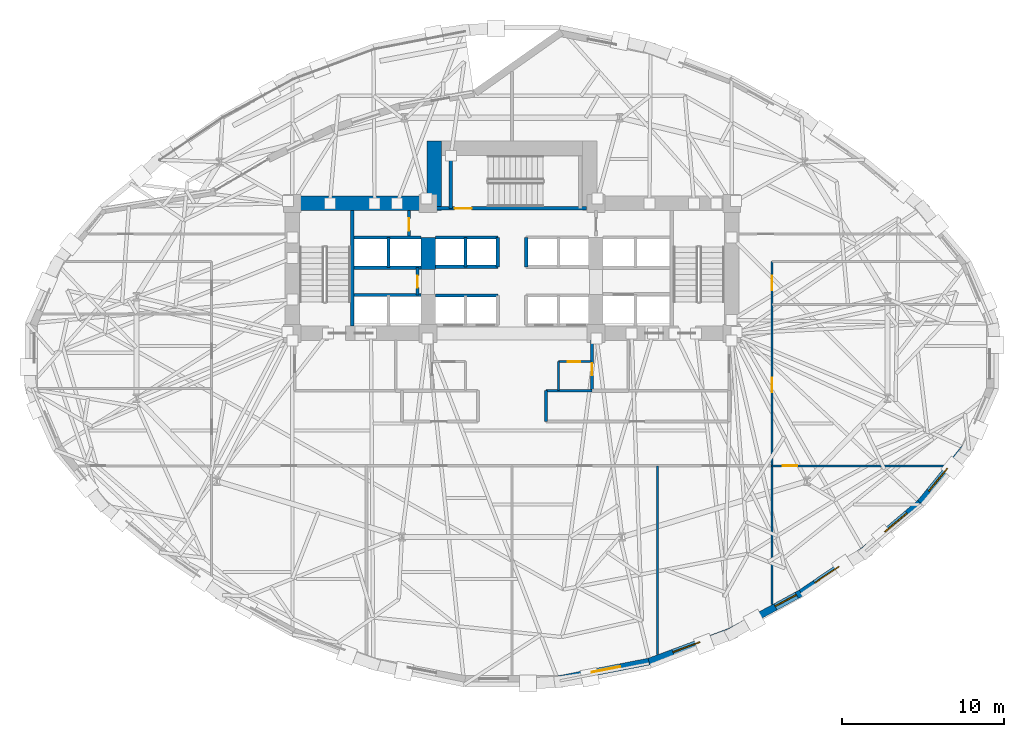
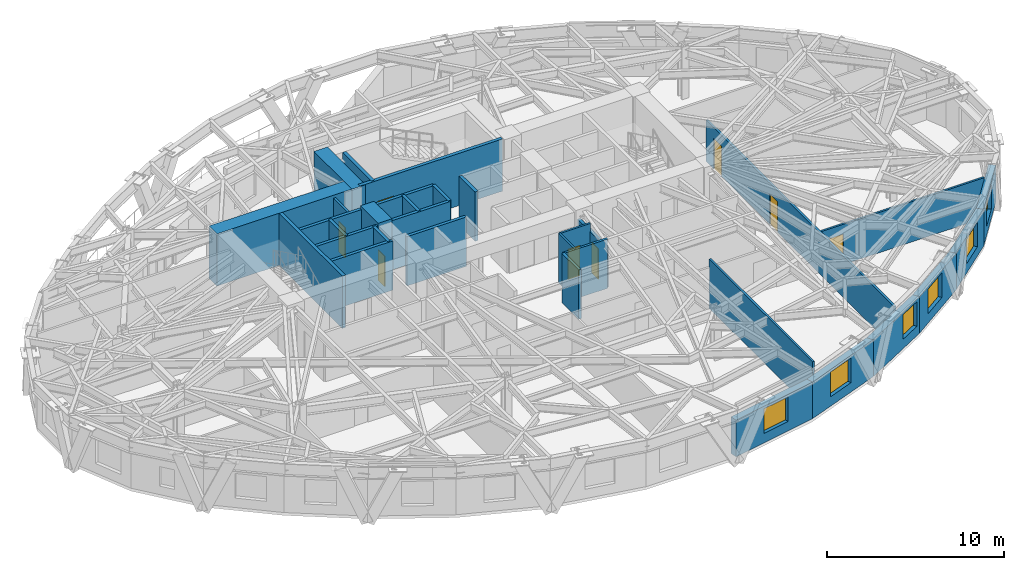
# One storey, part 11 of 17: 32 walls, 8 doors, 6 windows, 14 openings.
"""IFC4 building model written with IfcOpenShell, lengths in metres."""

from ifc_helpers import new_model, si_unit, direction, frame, frame_2d, origin, place, context, subcontext, project, spatial, rectangle, extrude, material, layer, layer_set, type_object, element, fill, save


model = new_model("IFC4")

# Units and contexts
model_context = context("Model", 3, precision=1e-05, world=origin(), true_north=direction((0.0, 1.0)))
body_context = subcontext(model_context, "Body", "Model", "MODEL_VIEW")
ifc_project = project(units=[si_unit("LENGTHUNIT", "METRE"), si_unit("AREAUNIT", "SQUARE_METRE"), si_unit("VOLUMEUNIT", "CUBIC_METRE"), si_unit("PLANEANGLEUNIT", "RADIAN"), si_unit("MASSUNIT", "GRAM", prefix="KILO")], contexts=[model_context])

# Site, building, storey
site_placement = place(None, origin())
site = spatial("IfcSite", under=ifc_project, at=site_placement, CompositionType="ELEMENT")
building_placement = place(site_placement, origin())
building = spatial("IfcBuilding", under=site, at=building_placement, Name="Keldmark Tower", CompositionType="ELEMENT")
storey_placement = place(building_placement, frame((0.0, 0.0, 70.199951171875)))
storey = spatial("IfcBuildingStorey", under=building, at=storey_placement, Name="L18", CompositionType="ELEMENT", Elevation=70.199951171875)

# Wall, openings, doors
ifc_material_1 = material(Name="Acoustic Double-Layer Gypsum Corridor Partition", Category="gypsum")
ifc_layer_1 = layer(ifc_material_1, 0.139892578125)
ifc_layer_set_1 = layer_set([ifc_layer_1], Name="Acoustic Double-Layer Gypsum Corridor Partition")
wall_type_1 = type_object("IfcWallType", Name="Acoustic Corridor Partition 140 mm", PredefinedType="PARTITIONING", material=ifc_layer_set_1)
wall_1_placement = place(storey_placement, frame((16.10009765625, -15.39501953125, 0.0), z_axis=(0.0, 0.0, 1.0), x_axis=(0.0, 1.0, 0.0)))
wall_1 = element("IfcWall", 1, at=wall_1_placement, inside=storey, type_object=wall_type_1, Name="L18 Acoustic Corridor Partition 140 mm COR-E", PredefinedType="PARTITIONING", context=body_context, shape_type="SweptSolid", body=[
    extrude(rectangle(XDim=21.2451171875, YDim=0.139892578125, at=frame_2d((10.62255859375, 0.0))), origin(), (0.0, 0.0, 1.0), 2.841064453125),
])
opening_1_placement = place(wall_1_placement, frame((13.144775390625, 0.0, 0.0)))
opening_1 = element("IfcOpeningElement", 2, at=opening_1_placement, cuts=wall_1, Name="Opening D-IN090", PredefinedType="OPENING", context=body_context, shape_type="SweptSolid", body=[
    extrude(rectangle(XDim=0.89990234375, YDim=2.10009765625, at=frame_2d((0.449951171875, 1.050048828125))), frame((0.0, 0.079833984375, 0.0), z_axis=(0.0, -1.0, 0.0), x_axis=(1.0, 0.0, 0.0)), (0.0, 0.0, 1.0), 0.159912109375),
])
opening_2_placement = place(wall_1_placement, frame((19.4697265625, 0.0, 0.0)))
opening_2 = element("IfcOpeningElement", 3, at=opening_2_placement, cuts=wall_1, Name="Opening D-IN090", PredefinedType="OPENING", context=body_context, shape_type="SweptSolid", body=[
    extrude(rectangle(XDim=0.89990234375, YDim=2.10009765625, at=frame_2d((0.449951171875, 1.050048828125))), frame((0.0, 0.079833984375, 0.0), z_axis=(0.0, -1.0, 0.0), x_axis=(1.0, 0.0, 0.0)), (0.0, 0.0, 1.0), 0.159912109375),
])
ifc_material_2 = material(Name="Stained American White Oak Veneer", Category="wood")
door_type_1 = type_object("IfcDoorType", Name="Interior Door 900x2100", OperationType="NOTDEFINED", PredefinedType="DOOR", material=ifc_material_2)
door_1_placement = place(opening_1_placement, origin())
door_1 = element("IfcDoor", 4, at=door_1_placement, inside=storey, type_object=door_type_1, Name="L18 Interior Door 900x2100 D-ER-1-L18", OperationType="SINGLE_SWING_RIGHT", OverallHeight=2.10009765625, OverallWidth=0.89990234375, PredefinedType="DOOR", context=body_context, shape_type="SweptSolid", body=[
    extrude(rectangle(XDim=0.89990234375, YDim=2.10009765625, at=frame_2d((0.449951171875, 1.050048828125))), frame((0.0, 0.02490234375, 0.0), z_axis=(0.0, -1.0, 0.0), x_axis=(1.0, 0.0, 0.0)), (0.0, 0.0, 1.0), 0.050048828125),
])
fill(opening_1, door_1)
door_2_placement = place(opening_2_placement, origin())
door_2 = element("IfcDoor", 5, at=door_2_placement, inside=storey, type_object=door_type_1, Name="L18 Interior Door 900x2100 D-ER-2-L18", OperationType="SINGLE_SWING_LEFT", OverallHeight=2.10009765625, OverallWidth=0.89990234375, PredefinedType="DOOR", context=body_context, shape_type="SweptSolid", body=[
    extrude(rectangle(XDim=0.89990234375, YDim=2.10009765625, at=frame_2d((0.449951171875, 1.050048828125))), frame((0.0, 0.02490234375, 0.0), z_axis=(0.0, -1.0, 0.0), x_axis=(1.0, 0.0, 0.0)), (0.0, 0.0, 1.0), 0.050048828125),
])
fill(opening_2, door_2)

# Wall
ifc_material_3 = material(Name="Heavy Acoustic Plumbing Chase Gypsum Assembly", Category="gypsum")
ifc_layer_2 = layer(ifc_material_3, 0.18994140625)
ifc_layer_set_2 = layer_set([ifc_layer_2], Name="Heavy Acoustic Plumbing Chase Gypsum Assembly")
wall_type_2 = type_object("IfcWallType", Name="Heavy Wet Wall 190 mm", PredefinedType="PLUMBINGWALL", material=ifc_layer_set_2)
wall_2_placement = place(storey_placement, frame((2.10009765625, -4.050048828125, 0.0), z_axis=(0.0, 0.0, 1.0), x_axis=(0.0, 1.0, 0.0)))
element("IfcWall", 6, at=wall_2_placement, inside=storey, type_object=wall_type_2, Name="L18 Heavy Wet Wall 190 mm SPK-E-W", PredefinedType="PLUMBINGWALL", context=body_context, shape_type="SweptSolid", body=[
    extrude(rectangle(XDim=1.900146484375, YDim=0.18994140625, at=frame_2d((0.9501953125, 0.0))), origin(), (0.0, 0.0, 1.0), 3.400146484375),
])

# Wall, opening, door
ifc_material_4 = material(Name="Acoustic Gypsum Board Interior Partition", Category="gypsum")
ifc_layer_3 = layer(ifc_material_4, 0.1298828125)
ifc_layer_set_3 = layer_set([ifc_layer_3], Name="Acoustic Gypsum Board Interior Partition")
wall_type_3 = type_object("IfcWallType", Name="Interior Partition 130 mm", PredefinedType="PARTITIONING", material=ifc_layer_set_3)
wall_3_placement = place(storey_placement, frame((2.889892578125, -0.35009765625, 0.0), z_axis=(0.0, 0.0, 1.0), x_axis=(1.0, 0.0, 0.0)))
wall_3 = element("IfcWall", 7, at=wall_3_placement, inside=storey, type_object=wall_type_3, Name="L18 Interior Partition 130 mm CSC-E-N", PredefinedType="PARTITIONING", context=body_context, shape_type="SweptSolid", body=[
    extrude(rectangle(XDim=1.989990234375, YDim=0.1298828125, at=frame_2d((0.9951171875, 0.0))), origin(), (0.0, 0.0, 1.0), 3.400146484375),
])
opening_3_placement = place(wall_3_placement, frame((0.550048828125, 0.0, 0.0)))
opening_3 = element("IfcOpeningElement", 8, at=opening_3_placement, cuts=wall_3, Name="Opening D-CL078", PredefinedType="OPENING", context=body_context, shape_type="SweptSolid", body=[
    extrude(rectangle(XDim=0.780029296875, YDim=2.10009765625, at=frame_2d((0.39013671875, 1.050048828125))), frame((0.0, 0.074951171875, 0.0), z_axis=(0.0, -1.0, 0.0), x_axis=(1.0, 0.0, 0.0)), (0.0, 0.0, 1.0), 0.14990234375),
])
ifc_material_5 = material(Name="Flush Utility Closet Timber Door", Category="wood")
door_type_2 = type_object("IfcDoorType", Name="Closet Door 780x2100", OperationType="NOTDEFINED", PredefinedType="DOOR", material=ifc_material_5)
door_3_placement = place(opening_3_placement, origin())
door_3 = element("IfcDoor", 9, at=door_3_placement, inside=storey, type_object=door_type_2, Name="L18 Closet Door 780x2100 D-CSCE1-L18", OperationType="SINGLE_SWING_RIGHT", OverallHeight=2.10009765625, OverallWidth=0.780029296875, PredefinedType="DOOR", context=body_context, shape_type="SweptSolid", body=[
    extrude(rectangle(XDim=0.780029296875, YDim=2.10009765625, at=frame_2d((0.39013671875, 1.050048828125))), frame((0.0, 0.02490234375, 0.0), z_axis=(0.0, -1.0, 0.0), x_axis=(1.0, 0.0, 0.0)), (0.0, 0.0, 1.0), 0.050048828125),
])
fill(opening_3, door_3)

# Walls
wall_4_placement = place(storey_placement, frame((2.889892578125, -2.14990234375, 0.0), z_axis=(0.0, 0.0, 1.0), x_axis=(0.0, 1.0, 0.0)))
element("IfcWall", 10, at=wall_4_placement, inside=storey, type_object=wall_type_3, Name="L18 Interior Partition 130 mm CSC-E-W", PredefinedType="PARTITIONING", context=body_context, shape_type="SweptSolid", body=[
    extrude(rectangle(XDim=1.7998046875, YDim=0.1298828125, at=frame_2d((0.89990234375, 0.0))), origin(), (0.0, 0.0, 1.0), 3.400146484375),
])
wall_5_placement = place(storey_placement, frame((9.0, -18.493896484375, 0.0), z_axis=(0.0, 0.0, 1.0), x_axis=(0.0, 1.0, 0.0)))
element("IfcWall", 11, at=wall_5_placement, inside=storey, type_object=wall_type_3, Name="L18 Interior Partition 130 mm S-DIV-3", PredefinedType="PARTITIONING", context=body_context, shape_type="SweptSolid", body=[
    extrude(rectangle(XDim=11.69384765625, YDim=0.1298828125, at=frame_2d((5.846923828125, 0.0))), origin(), (0.0, 0.0, 1.0), 3.400146484375),
])

# Wall, opening, door
wall_6_placement = place(storey_placement, frame((16.10009765625, -6.800048828125, 0.0), z_axis=(0.0, 0.0, 1.0), x_axis=(1.0, 0.0, 0.0)))
wall_6 = element("IfcWall", 12, at=wall_6_placement, inside=storey, type_object=wall_type_3, Name="L18 Interior Partition 130 mm E-CAP-S", PredefinedType="PARTITIONING", context=body_context, shape_type="SweptSolid", body=[
    extrude(rectangle(XDim=10.739501953125, YDim=0.1298828125, at=frame_2d((5.36962890625, 0.0))), origin(), (0.0, 0.0, 1.0), 2.779052734375),
])
opening_4_placement = place(wall_6_placement, frame((0.64990234375, 0.0, 0.0)))
opening_4 = element("IfcOpeningElement", 13, at=opening_4_placement, cuts=wall_6, Name="Opening D-IN090", PredefinedType="OPENING", context=body_context, shape_type="SweptSolid", body=[
    extrude(rectangle(XDim=0.89990234375, YDim=2.10009765625, at=frame_2d((0.449951171875, 1.050048828125))), frame((0.0, 0.074951171875, 0.0), z_axis=(0.0, -1.0, 0.0), x_axis=(1.0, 0.0, 0.0)), (0.0, 0.0, 1.0), 0.14990234375),
])
door_4_placement = place(opening_4_placement, origin())
door_4 = element("IfcDoor", 14, at=door_4_placement, inside=storey, type_object=door_type_1, Name="L18 Interior Door 900x2100 D-ERSE-L18", OperationType="SINGLE_SWING_LEFT", OverallHeight=2.10009765625, OverallWidth=0.89990234375, PredefinedType="DOOR", context=body_context, shape_type="SweptSolid", body=[
    extrude(rectangle(XDim=0.89990234375, YDim=2.10009765625, at=frame_2d((0.449951171875, 1.050048828125))), frame((0.0, 0.02490234375, 0.0), z_axis=(0.0, -1.0, 0.0), x_axis=(1.0, 0.0, 0.0)), (0.0, 0.0, 1.0), 0.050048828125),
])
fill(opening_4, door_4)

# Walls
ifc_material_6 = material(Name="Concrete C70/85", Category="concrete")
ifc_layer_4 = layer(ifc_material_6, 0.89990234375)
ifc_layer_set_4 = layer_set([ifc_layer_4], Name="Concrete C70/85")
wall_type_4 = type_object("IfcWallType", Name="Lower Core Shear Wall 900 mm", PredefinedType="SHEAR", material=ifc_layer_set_4)
wall_7_placement = place(storey_placement, frame((-14.050048828125, 9.449951171875, 0.0), z_axis=(0.0, 0.0, 1.0), x_axis=(1.0, 0.0, 0.0)))
element("IfcWall", 15, at=wall_7_placement, inside=storey, type_object=wall_type_4, Name="L18 West Core North Shear Wall", PredefinedType="SHEAR", context=body_context, shape_type="SweptSolid", body=[
    extrude(rectangle(XDim=9.699951171875, YDim=0.89990234375, at=frame_2d((4.85009765625, 0.0))), origin(), (0.0, 0.0, 1.0), 3.60009765625),
])
wall_8_placement = place(storey_placement, frame((-5.199951171875, 5.35009765625, 0.0), z_axis=(0.0, 0.0, 1.0), x_axis=(0.0, 1.0, 0.0)))
element("IfcWall", 16, at=wall_8_placement, inside=storey, type_object=wall_type_4, Name="L18 West Core Inner Shear Pier North", PredefinedType="SHEAR", context=body_context, shape_type="SweptSolid", body=[
    extrude(rectangle(XDim=2.0, YDim=0.89990234375, at=frame_2d((1.0, 0.0))), origin(), (0.0, 0.0, 1.0), 3.60009765625),
])
wall_9_placement = place(storey_placement, frame((-4.800048828125, 9.0, 0.0), z_axis=(0.0, 0.0, 1.0), x_axis=(0.0, 1.0, 0.0)))
element("IfcWall", 17, at=wall_9_placement, inside=storey, type_object=wall_type_4, Name="L18 North Core West Shear Wall", PredefinedType="SHEAR", context=body_context, shape_type="SweptSolid", body=[
    extrude(rectangle(XDim=4.300048828125, YDim=0.89990234375, at=frame_2d((2.14990234375, 0.0))), origin(), (0.0, 0.0, 1.0), 3.60009765625),
])

# Wall, opening, door
ifc_material_7 = material(Name="Type X Fire-Rated Gypsum Partition Assembly", Category="gypsum")
ifc_layer_5 = layer(ifc_material_7, 0.1650390625)
ifc_layer_set_5 = layer_set([ifc_layer_5], Name="Type X Fire-Rated Gypsum Partition Assembly")
wall_type_5 = type_object("IfcWallType", Name="Rated Partition 165 mm", PredefinedType="PARTITIONING", material=ifc_layer_set_5)
wall_10_placement = place(storey_placement, frame((-6.3798828125, 7.419921875, 0.0), z_axis=(0.0, 0.0, 1.0), x_axis=(0.0, 1.0, 0.0)))
wall_10 = element("IfcWall", 18, at=wall_10_placement, inside=storey, type_object=wall_type_5, Name="L18 Rated Partition 165 mm CS-NW-E", PredefinedType="PARTITIONING", context=body_context, shape_type="SweptSolid", body=[
    extrude(rectangle(XDim=1.580078125, YDim=0.1650390625, at=frame_2d((0.7900390625, 0.0))), origin(), (0.0, 0.0, 1.0), 3.400146484375),
])
opening_5_placement = place(wall_10_placement, frame((0.35009765625, 0.0, 0.0)))
opening_5 = element("IfcOpeningElement", 19, at=opening_5_placement, cuts=wall_10, Name="Opening D-RS075", PredefinedType="OPENING", context=body_context, shape_type="SweptSolid", body=[
    extrude(rectangle(XDim=0.75, YDim=2.10009765625, at=frame_2d((0.375, 1.050048828125))), frame((0.0, 0.092529296875, 0.0), z_axis=(0.0, -1.0, 0.0), x_axis=(1.0, 0.0, 0.0)), (0.0, 0.0, 1.0), 0.18505859375),
])
ifc_material_8 = material(Name="Galvanized Fire-Rated Access Leaf", Category="metal")
door_type_3 = type_object("IfcDoorType", Name="Riser Access Door 750x2100", OperationType="NOTDEFINED", PredefinedType="DOOR", material=ifc_material_8)
door_5_placement = place(opening_5_placement, origin())
door_5 = element("IfcDoor", 20, at=door_5_placement, inside=storey, type_object=door_type_3, Name="L18 Riser Access Door 750x2100 D-CSNW1-L18", OperationType="SINGLE_SWING_RIGHT", OverallHeight=2.10009765625, OverallWidth=0.75, PredefinedType="DOOR", context=body_context, shape_type="SweptSolid", body=[
    extrude(rectangle(XDim=0.75, YDim=2.10009765625, at=frame_2d((0.375, 1.050048828125))), frame((0.0, 0.02490234375, 0.0), z_axis=(0.0, -1.0, 0.0), x_axis=(1.0, 0.0, 0.0)), (0.0, 0.0, 1.0), 0.050048828125),
])
fill(opening_5, door_5)

ifc_material_9 = material(Name="Fire-Resistant Type X Gypsum Shaftliner Coreboard", Category="gypsum")
ifc_layer_6 = layer(ifc_material_9, 0.199951171875)
ifc_layer_set_6 = layer_set([ifc_layer_6], Name="Fire-Resistant Type X Gypsum Shaftliner Coreboard")
wall_type_6 = type_object("IfcWallType", Name="Shaft Wall 200 mm", PredefinedType="SOLIDWALL", material=ifc_layer_set_6)
wall_11_placement = place(storey_placement, frame((4.949951171875, -2.14990234375, 0.0), z_axis=(0.0, 0.0, 1.0), x_axis=(0.0, 1.0, 0.0)))
wall_11 = element("IfcWall", 21, at=wall_11_placement, inside=storey, type_object=wall_type_6, Name="L18 Shaft Wall 200 mm RIS-SE-W", PredefinedType="SOLIDWALL", context=body_context, shape_type="SweptSolid", body=[
    extrude(rectangle(XDim=3.14990234375, YDim=0.199951171875, at=frame_2d((1.574951171875, 0.0))), origin(), (0.0, 0.0, 1.0), 2.85302734375),
])
opening_6_placement = place(wall_11_placement, frame((0.949951171875, 0.0, 0.0)))
opening_6 = element("IfcOpeningElement", 22, at=opening_6_placement, cuts=wall_11, Name="Opening D-RS075", PredefinedType="OPENING", context=body_context, shape_type="SweptSolid", body=[
    extrude(rectangle(XDim=0.75, YDim=2.10009765625, at=frame_2d((0.375, 1.050048828125))), frame((0.0, 0.10986328125, 0.0), z_axis=(0.0, -1.0, 0.0), x_axis=(1.0, 0.0, 0.0)), (0.0, 0.0, 1.0), 0.219970703125),
])
door_6_placement = place(opening_6_placement, origin())
door_6 = element("IfcDoor", 23, at=door_6_placement, inside=storey, type_object=door_type_3, Name="L18 Riser Access Door 750x2100 D-RISSE-L18", OperationType="SINGLE_SWING_LEFT", OverallHeight=2.10009765625, OverallWidth=0.75, PredefinedType="DOOR", context=body_context, shape_type="SweptSolid", body=[
    extrude(rectangle(XDim=0.75, YDim=2.10009765625, at=frame_2d((0.375, 1.050048828125))), frame((0.0, 0.02490234375, 0.0), z_axis=(0.0, -1.0, 0.0), x_axis=(1.0, 0.0, 0.0)), (0.0, 0.0, 1.0), 0.050048828125),
])
fill(opening_6, door_6)

# Walls
for number, where, z_axis, x_axis, name in (
    (24, (-9.780029296875, 3.780029296875, 0.0), (0.0, 0.0, 1.0), (1.0, 0.0, 0.0), "L18 Shaft Wall 200 mm HW-W-S"),
    (25, (-9.780029296875, 5.469970703125, 0.0), (0.0, 0.0, 1.0), (1.0, 0.0, 0.0), "L18 Shaft Wall 200 mm HW-W-N"),
    (26, (-9.780029296875, 7.330078125, 0.0), (0.0, 0.0, 1.0), (1.0, 0.0, 0.0), "L18 Shaft Wall 200 mm HW-W-TOP"),
):
    element("IfcWall", number, at=place(storey_placement, frame(where, z_axis=z_axis, x_axis=x_axis)), inside=storey, type_object=wall_type_6, Name=name, PredefinedType="SOLIDWALL", context=body_context, shape_type="SweptSolid", body=[
        extrude(rectangle(XDim=4.130126953125, YDim=0.199951171875, at=frame_2d((2.06494140625, 0.0))), origin(), (0.0, 0.0, 1.0), 3.400146484375),
    ])
wall_12_placement = place(storey_placement, frame((-7.64990234375, 5.469970703125, 0.0), z_axis=(0.0, 0.0, 1.0), x_axis=(0.0, 1.0, 0.0)))
element("IfcWall", 27, at=wall_12_placement, inside=storey, type_object=wall_type_6, Name="L18 Shaft Wall 200 mm HW-W-NM", PredefinedType="SOLIDWALL", context=body_context, shape_type="SweptSolid", body=[
    extrude(rectangle(XDim=1.860107421875, YDim=0.199951171875, at=frame_2d((0.93017578125, 0.0))), origin(), (0.0, 0.0, 1.0), 3.400146484375),
])

# Wall, opening, door
wall_13_placement = place(storey_placement, frame((-5.85009765625, 3.780029296875, 0.0), z_axis=(0.0, 0.0, 1.0), x_axis=(0.0, 1.0, 0.0)))
wall_13 = element("IfcWall", 28, at=wall_13_placement, inside=storey, type_object=wall_type_6, Name="L18 Shaft Wall 200 mm HW-W-CLOSE", PredefinedType="SOLIDWALL", context=body_context, shape_type="SweptSolid", body=[
    extrude(rectangle(XDim=1.68994140625, YDim=0.199951171875, at=frame_2d((0.844970703125, 0.0))), origin(), (0.0, 0.0, 1.0), 3.400146484375),
])
opening_7_placement = place(wall_13_placement, frame((0.449951171875, 0.0, 0.0)))
opening_7 = element("IfcOpeningElement", 29, at=opening_7_placement, cuts=wall_13, Name="Opening D-RS075", PredefinedType="OPENING", context=body_context, shape_type="SweptSolid", body=[
    extrude(rectangle(XDim=0.75, YDim=2.10009765625, at=frame_2d((0.375, 1.050048828125))), frame((0.0, 0.10986328125, 0.0), z_axis=(0.0, -1.0, 0.0), x_axis=(1.0, 0.0, 0.0)), (0.0, 0.0, 1.0), 0.219970703125),
])
door_7_placement = place(opening_7_placement, origin())
door_7 = element("IfcDoor", 30, at=door_7_placement, inside=storey, type_object=door_type_3, Name="L18 Riser Access Door 750x2100 D-RISHW-L18", OperationType="SINGLE_SWING_RIGHT", OverallHeight=2.10009765625, OverallWidth=0.75, PredefinedType="DOOR", context=body_context, shape_type="SweptSolid", body=[
    extrude(rectangle(XDim=0.75, YDim=2.10009765625, at=frame_2d((0.375, 1.050048828125))), frame((0.0, 0.02490234375, 0.0), z_axis=(0.0, -1.0, 0.0), x_axis=(1.0, 0.0, 0.0)), (0.0, 0.0, 1.0), 0.050048828125),
])
fill(opening_7, door_7)

# Walls
for number, where, z_axis, x_axis, name in (
    (31, (-4.739990234375, 3.739990234375, 0.0), (0.0, 0.0, 1.0), (1.0, 0.0, 0.0), "L18 Shaft Wall 200 mm LOW-N-W"),
    (32, (-4.739990234375, 5.52001953125, 0.0), (0.0, 0.0, 1.0), (1.0, 0.0, 0.0), "L18 Shaft Wall 200 mm MID-S-W"),
    (33, (-4.739990234375, 7.330078125, 0.0), (0.0, 0.0, 1.0), (1.0, 0.0, 0.0), "L18 Shaft Wall 200 mm MID-N-W"),
):
    element("IfcWall", number, at=place(storey_placement, frame(where, z_axis=z_axis, x_axis=x_axis)), inside=storey, type_object=wall_type_6, Name=name, PredefinedType="SOLIDWALL", context=body_context, shape_type="SweptSolid", body=[
        extrude(rectangle(XDim=3.860107421875, YDim=0.199951171875, at=frame_2d((1.93017578125, 0.0))), origin(), (0.0, 0.0, 1.0), 3.400146484375),
    ])
for number, where, z_axis, x_axis, name in (
    (34, (-2.8798828125, 5.52001953125, 0.0), (0.0, 0.0, 1.0), (0.0, 1.0, 0.0), "L18 Shaft Wall 200 mm MID-M-W"),
    (35, (-0.8798828125, 5.52001953125, 0.0), (0.0, 0.0, 1.0), (0.0, 1.0, 0.0), "L18 Shaft Wall 200 mm MID-C-W"),
    (36, (0.8798828125, 5.52001953125, 0.0), (0.0, 0.0, 1.0), (0.0, 1.0, 0.0), "L18 Shaft Wall 200 mm MID-C-E"),
):
    element("IfcWall", number, at=place(storey_placement, frame(where, z_axis=z_axis, x_axis=x_axis)), inside=storey, type_object=wall_type_6, Name=name, PredefinedType="SOLIDWALL", context=body_context, shape_type="SweptSolid", body=[
        extrude(rectangle(XDim=1.81005859375, YDim=0.199951171875, at=frame_2d((0.905029296875, 0.0))), origin(), (0.0, 0.0, 1.0), 3.400146484375),
    ])
ifc_material_10 = material(Name="Concrete C50/60", Category="concrete")
ifc_layer_7 = layer(ifc_material_10, 0.219970703125)
ifc_layer_set_7 = layer_set([ifc_layer_7], Name="Concrete C50/60")
wall_type_7 = type_object("IfcWallType", Name="Stair Core Shear Wall 220 mm", PredefinedType="SHEAR", material=ifc_layer_set_7)
wall_14_placement = place(storey_placement, frame((-9.889892578125, 1.85009765625, 0.0), z_axis=(0.0, 0.0, 1.0), x_axis=(0.0, 1.0, 0.0)))
element("IfcWall", 37, at=wall_14_placement, inside=storey, type_object=wall_type_7, Name="L18 West Stair Core Shear Wall", PredefinedType="SHEAR", context=body_context, shape_type="SweptSolid", body=[
    extrude(rectangle(XDim=7.14990234375, YDim=0.219970703125, at=frame_2d((3.574951171875, 0.0))), origin(), (0.0, 0.0, 1.0), 3.60009765625),
])

# Wall, opening, door
wall_15_placement = place(storey_placement, frame((-4.699951171875, 9.139892578125, 0.0), z_axis=(0.0, 0.0, 1.0), x_axis=(1.0, 0.0, 0.0)))
wall_15 = element("IfcWall", 38, at=wall_15_placement, inside=storey, type_object=wall_type_7, Name="L18 Central Stair Core South Shear Wall", PredefinedType="SHEAR", context=body_context, shape_type="SweptSolid", body=[
    extrude(rectangle(XDim=9.300048828125, YDim=0.219970703125, at=frame_2d((4.64990234375, 0.0))), origin(), (0.0, 0.0, 1.0), 3.60009765625),
])
opening_8_placement = place(wall_15_placement, frame((1.14990234375, 0.0, 0.0)))
opening_8 = element("IfcOpeningElement", 39, at=opening_8_placement, cuts=wall_15, Name="Opening D-ST105", PredefinedType="OPENING", context=body_context, shape_type="SweptSolid", body=[
    extrude(rectangle(XDim=1.050048828125, YDim=2.14990234375, at=frame_2d((0.52490234375, 1.074951171875))), frame((0.0, 0.119873046875, 0.0), z_axis=(0.0, -1.0, 0.0), x_axis=(1.0, 0.0, 0.0)), (0.0, 0.0, 1.0), 0.239990234375),
])
ifc_material_11 = material(Name="Hollow Metal Fire-Rated Door Assembly", Category="metal")
door_type_4 = type_object("IfcDoorType", Name="Stair Fire Door 1050x2150", OperationType="NOTDEFINED", PredefinedType="DOOR", material=ifc_material_11)
door_8_placement = place(opening_8_placement, origin())
door_8 = element("IfcDoor", 40, at=door_8_placement, inside=storey, type_object=door_type_4, Name="L18 Stair Fire Door 1050x2150 D-ST3-L18", OperationType="SINGLE_SWING_RIGHT", OverallHeight=2.14990234375, OverallWidth=1.050048828125, PredefinedType="DOOR", context=body_context, shape_type="SweptSolid", body=[
    extrude(rectangle(XDim=1.050048828125, YDim=2.14990234375, at=frame_2d((0.52490234375, 1.074951171875))), frame((0.0, 0.02490234375, 0.0), z_axis=(0.0, -1.0, 0.0), x_axis=(1.0, 0.0, 0.0)), (0.0, 0.0, 1.0), 0.050048828125),
])
fill(opening_8, door_8)

# Wall
wall_16_placement = place(storey_placement, frame((-3.784912109375, 9.139892578125, 0.0), z_axis=(0.0, 0.0, 1.0), x_axis=(0.0, 1.0, 0.0)))
element("IfcWall", 41, at=wall_16_placement, inside=storey, type_object=wall_type_7, Name="L18 Central Stair Core West Shear Wall", PredefinedType="SHEAR", context=body_context, shape_type="SweptSolid", body=[
    extrude(rectangle(XDim=3.260009765625, YDim=0.219970703125, at=frame_2d((1.6298828125, 0.0))), origin(), (0.0, 0.0, 1.0), 3.60009765625),
])

# Wall, opening, window
ifc_material_12 = material(Name="Ironspot Manganese Brick and Kasota Buff Limestone Spandrel Assembly", Category="masonry")
ifc_layer_8 = layer(ifc_material_12, 0.43994140625)
ifc_layer_set_8 = layer_set([ifc_layer_8], Name="Ironspot Manganese Brick and Kasota Buff Limestone Spandrel Assembly")
wall_type_8 = type_object("IfcWallType", Name="Tower Brick Pier and Spandrel Wall 440 mm", PredefinedType="STANDARD", material=ifc_layer_set_8)
wall_17_placement = place(storey_placement, frame((8.518310546875, -18.919189453125, 0.0), z_axis=(0.0, 0.0, 1.0), x_axis=(-0.981531216559, -0.191302041079, 0.0)))
wall_17 = element("IfcWall", 42, at=wall_17_placement, inside=storey, type_object=wall_type_8, Name="L18 Exterior Brick and Spandrel Wall 25", PredefinedType="STANDARD", context=body_context, shape_type="SweptSolid", body=[
    extrude(rectangle(XDim=5.7275390625, YDim=0.43994140625, at=frame_2d((2.86376953125, 0.0))), origin(), (0.0, 0.0, 1.0), 2.529052734375),
])
opening_9_placement = place(wall_17_placement, frame((1.839599609375, 0.0, 0.64990234375)))
opening_9 = element("IfcOpeningElement", 43, at=opening_9_placement, cuts=wall_17, Name="Opening W-02", PredefinedType="OPENING", context=body_context, shape_type="SweptSolid", body=[
    extrude(rectangle(XDim=1.800048828125, YDim=1.699951171875, at=frame_2d((0.89990234375, 0.85009765625))), frame((0.0, 0.22998046875, 0.0), z_axis=(0.0, -1.0, 0.0), x_axis=(1.0, 0.0, 0.0)), (0.0, 0.0, 1.0), 0.4599609375),
])
ifc_material_13 = material(Name="Thermally Broken Anodized Aluminum and Triple Low-E Argon Glazing", Category="aluminium")
window_type_1 = type_object("IfcWindowType", Name="Office Deep-Set Triple Window 1800x1700", PartitioningType="TRIPLE_PANEL_VERTICAL", PredefinedType="WINDOW", material=ifc_material_13)
window_1_placement = place(opening_9_placement, origin())
window_1 = element("IfcWindow", 44, at=window_1_placement, inside=storey, type_object=window_type_1, Name="L18 Deep-Set Window 25", OverallHeight=1.699951171875, OverallWidth=1.800048828125, PartitioningType="SINGLE_PANEL", PredefinedType="WINDOW", context=body_context, shape_type="SweptSolid", body=[
    extrude(rectangle(XDim=1.800048828125, YDim=1.699951171875, at=frame_2d((0.89990234375, 0.85009765625))), frame((0.0, -0.010009765625, 0.0), z_axis=(0.0, -1.0, 0.0), x_axis=(1.0, 0.0, 0.0)), (0.0, 0.0, 1.0), 0.06005859375),
])
fill(opening_9, window_1)

wall_18_placement = place(storey_placement, frame((13.52978515625, -17.0546875, 0.0), z_axis=(0.0, 0.0, 1.0), x_axis=(-0.93742061918, -0.348199056195, 0.0)))
wall_18 = element("IfcWall", 45, at=wall_18_placement, inside=storey, type_object=wall_type_8, Name="L18 Exterior Brick and Spandrel Wall 26", PredefinedType="STANDARD", context=body_context, shape_type="SweptSolid", body=[
    extrude(rectangle(XDim=5.3828125, YDim=0.43994140625, at=frame_2d((2.69140625, 0.0))), origin(), (0.0, 0.0, 1.0), 2.529052734375),
])
opening_10_placement = place(wall_18_placement, frame((1.990234375, 0.0, 0.64990234375)))
opening_10 = element("IfcOpeningElement", 46, at=opening_10_placement, cuts=wall_18, Name="Opening W-02", PredefinedType="OPENING", context=body_context, shape_type="SweptSolid", body=[
    extrude(rectangle(XDim=1.800048828125, YDim=1.699951171875, at=frame_2d((0.89990234375, 0.85009765625))), frame((0.0, 0.22998046875, 0.0), z_axis=(0.0, -1.0, 0.0), x_axis=(1.0, 0.0, 0.0)), (0.0, 0.0, 1.0), 0.4599609375),
])
window_2_placement = place(opening_10_placement, origin())
window_2 = element("IfcWindow", 47, at=window_2_placement, inside=storey, type_object=window_type_1, Name="L18 Deep-Set Window 26", OverallHeight=1.699951171875, OverallWidth=1.800048828125, PartitioningType="SINGLE_PANEL", PredefinedType="WINDOW", context=body_context, shape_type="SweptSolid", body=[
    extrude(rectangle(XDim=1.800048828125, YDim=1.699951171875, at=frame_2d((0.89990234375, 0.85009765625))), frame((0.0, -0.010009765625, 0.0), z_axis=(0.0, -1.0, 0.0), x_axis=(1.0, 0.0, 0.0)), (0.0, 0.0, 1.0), 0.06005859375),
])
fill(opening_10, window_2)

wall_19_placement = place(storey_placement, frame((17.894775390625, -14.678955078125, 0.0), z_axis=(0.0, 0.0, 1.0), x_axis=(-0.878571961318, -0.477609996531, 0.0)))
wall_19 = element("IfcWall", 48, at=wall_19_placement, inside=storey, type_object=wall_type_8, Name="L18 Exterior Brick and Spandrel Wall 27", PredefinedType="STANDARD", context=body_context, shape_type="SweptSolid", body=[
    extrude(rectangle(XDim=5.000732421875, YDim=0.43994140625, at=frame_2d((2.50048828125, 0.0))), origin(), (0.0, 0.0, 1.0), 2.529052734375),
])
opening_11_placement = place(wall_19_placement, frame((0.29833984375, 0.0, 0.64990234375)))
opening_11 = element("IfcOpeningElement", 49, at=opening_11_placement, cuts=wall_19, Name="Opening W-03", PredefinedType="OPENING", context=body_context, shape_type="SweptSolid", body=[
    extrude(rectangle(XDim=1.5, YDim=1.699951171875, at=frame_2d((0.75, 0.85009765625))), frame((0.0, 0.22998046875, 0.0), z_axis=(0.0, -1.0, 0.0), x_axis=(1.0, 0.0, 0.0)), (0.0, 0.0, 1.0), 0.4599609375),
])
ifc_material_14 = material(Name="Thermally Broken Anodized Aluminum and Triple Low-E Argon Glazing", Category="aluminium")
window_type_2 = type_object("IfcWindowType", Name="Office Corner Deep-Set Window 1500x1700", PartitioningType="DOUBLE_PANEL_VERTICAL", PredefinedType="WINDOW", material=ifc_material_14)
window_3_placement = place(opening_11_placement, origin())
window_3 = element("IfcWindow", 50, at=window_3_placement, inside=storey, type_object=window_type_2, Name="L18 Deep-Set Window 27", OverallHeight=1.699951171875, OverallWidth=1.5, PartitioningType="SINGLE_PANEL", PredefinedType="WINDOW", context=body_context, shape_type="SweptSolid", body=[
    extrude(rectangle(XDim=1.5, YDim=1.699951171875, at=frame_2d((0.75, 0.85009765625))), frame((0.0, -0.010009765625, 0.0), z_axis=(0.0, -1.0, 0.0), x_axis=(1.0, 0.0, 0.0)), (0.0, 0.0, 1.0), 0.06005859375),
])
fill(opening_11, window_3)

wall_20_placement = place(storey_placement, frame((21.809326171875, -12.023193359375, 0.0), z_axis=(0.0, 0.0, 1.0), x_axis=(-0.827645395623, -0.561251368911, 0.0)))
wall_20 = element("IfcWall", 51, at=wall_20_placement, inside=storey, type_object=wall_type_8, Name="L18 Exterior Brick and Spandrel Wall 28", PredefinedType="STANDARD", context=body_context, shape_type="SweptSolid", body=[
    extrude(rectangle(XDim=4.751953125, YDim=0.43994140625, at=frame_2d((2.3759765625, 0.0))), origin(), (0.0, 0.0, 1.0), 2.529052734375),
])
opening_12_placement = place(wall_20_placement, frame((1.86865234375, 0.0, 0.64990234375)))
opening_12 = element("IfcOpeningElement", 52, at=opening_12_placement, cuts=wall_20, Name="Opening W-02", PredefinedType="OPENING", context=body_context, shape_type="SweptSolid", body=[
    extrude(rectangle(XDim=1.800048828125, YDim=1.699951171875, at=frame_2d((0.89990234375, 0.85009765625))), frame((0.0, 0.22998046875, 0.0), z_axis=(0.0, -1.0, 0.0), x_axis=(1.0, 0.0, 0.0)), (0.0, 0.0, 1.0), 0.4599609375),
])
window_4_placement = place(opening_12_placement, origin())
window_4 = element("IfcWindow", 53, at=window_4_placement, inside=storey, type_object=window_type_1, Name="L18 Deep-Set Window 28", OverallHeight=1.699951171875, OverallWidth=1.800048828125, PartitioningType="SINGLE_PANEL", PredefinedType="WINDOW", context=body_context, shape_type="SweptSolid", body=[
    extrude(rectangle(XDim=1.800048828125, YDim=1.699951171875, at=frame_2d((0.89990234375, 0.85009765625))), frame((0.0, -0.010009765625, 0.0), z_axis=(0.0, -1.0, 0.0), x_axis=(1.0, 0.0, 0.0)), (0.0, 0.0, 1.0), 0.06005859375),
])
fill(opening_12, window_4)

wall_21_placement = place(storey_placement, frame((25.3134765625, -9.05810546875, 0.0), z_axis=(0.0, 0.0, 1.0), x_axis=(-0.763546839071, -0.645752448346, 0.0)))
wall_21 = element("IfcWall", 54, at=wall_21_placement, inside=storey, type_object=wall_type_8, Name="L18 Exterior Brick and Spandrel Wall 29", PredefinedType="STANDARD", context=body_context, shape_type="SweptSolid", body=[
    extrude(rectangle(XDim=4.613525390625, YDim=0.43994140625, at=frame_2d((2.306640625, 0.0))), origin(), (0.0, 0.0, 1.0), 2.529052734375),
])
opening_13_placement = place(wall_21_placement, frame((1.086669921875, 0.0, 0.64990234375)))
opening_13 = element("IfcOpeningElement", 55, at=opening_13_placement, cuts=wall_21, Name="Opening W-02", PredefinedType="OPENING", context=body_context, shape_type="SweptSolid", body=[
    extrude(rectangle(XDim=1.800048828125, YDim=1.699951171875, at=frame_2d((0.89990234375, 0.85009765625))), frame((0.0, 0.22998046875, 0.0), z_axis=(0.0, -1.0, 0.0), x_axis=(1.0, 0.0, 0.0)), (0.0, 0.0, 1.0), 0.4599609375),
])
window_5_placement = place(opening_13_placement, origin())
window_5 = element("IfcWindow", 56, at=window_5_placement, inside=storey, type_object=window_type_1, Name="L18 Deep-Set Window 29", OverallHeight=1.699951171875, OverallWidth=1.800048828125, PartitioningType="SINGLE_PANEL", PredefinedType="WINDOW", context=body_context, shape_type="SweptSolid", body=[
    extrude(rectangle(XDim=1.800048828125, YDim=1.699951171875, at=frame_2d((0.89990234375, 0.85009765625))), frame((0.0, -0.010009765625, 0.0), z_axis=(0.0, -1.0, 0.0), x_axis=(1.0, 0.0, 0.0)), (0.0, 0.0, 1.0), 0.06005859375),
])
fill(opening_13, window_5)

wall_22_placement = place(storey_placement, frame((28.048828125, -5.666259765625, 0.0), z_axis=(0.0, 0.0, 1.0), x_axis=(-0.628444327975, -0.777854566507, 0.0)))
wall_22 = element("IfcWall", 57, at=wall_22_placement, inside=storey, type_object=wall_type_8, Name="L18 Exterior Brick and Spandrel Wall 30", PredefinedType="STANDARD", context=body_context, shape_type="SweptSolid", body=[
    extrude(rectangle(XDim=4.39892578125, YDim=0.43994140625, at=frame_2d((2.199462890625, 0.0))), origin(), (0.0, 0.0, 1.0), 2.529052734375),
])
opening_14_placement = place(wall_22_placement, frame((1.69921875, 0.0, 0.64990234375)))
opening_14 = element("IfcOpeningElement", 58, at=opening_14_placement, cuts=wall_22, Name="Opening W-02", PredefinedType="OPENING", context=body_context, shape_type="SweptSolid", body=[
    extrude(rectangle(XDim=1.800048828125, YDim=1.699951171875, at=frame_2d((0.89990234375, 0.85009765625))), frame((0.0, 0.22998046875, 0.0), z_axis=(0.0, -1.0, 0.0), x_axis=(1.0, 0.0, 0.0)), (0.0, 0.0, 1.0), 0.4599609375),
])
window_6_placement = place(opening_14_placement, origin())
window_6 = element("IfcWindow", 59, at=window_6_placement, inside=storey, type_object=window_type_1, Name="L18 Deep-Set Window 30", OverallHeight=1.699951171875, OverallWidth=1.800048828125, PartitioningType="SINGLE_PANEL", PredefinedType="WINDOW", context=body_context, shape_type="SweptSolid", body=[
    extrude(rectangle(XDim=1.800048828125, YDim=1.699951171875, at=frame_2d((0.89990234375, 0.85009765625))), frame((0.0, -0.010009765625, 0.0), z_axis=(0.0, -1.0, 0.0), x_axis=(1.0, 0.0, 0.0)), (0.0, 0.0, 1.0), 0.06005859375),
])
fill(opening_14, window_6)

# Wall
ifc_material_15 = material(Name="Moisture-Resistant Gypsum Plumbing Partition", Category="gypsum")
ifc_layer_9 = layer(ifc_material_15, 0.14990234375)
ifc_layer_set_9 = layer_set([ifc_layer_9], Name="Moisture-Resistant Gypsum Plumbing Partition")
wall_type_9 = type_object("IfcWallType", Name="Wet Wall 150 mm", PredefinedType="PLUMBINGWALL", material=ifc_layer_set_9)
wall_23_placement = place(storey_placement, frame((2.10009765625, -2.14990234375, 0.0), z_axis=(0.0, 0.0, 1.0), x_axis=(1.0, 0.0, 0.0)))
element("IfcWall", 60, at=wall_23_placement, inside=storey, type_object=wall_type_9, Name="L18 Wet Wall 150 mm SPK-E-N", PredefinedType="PLUMBINGWALL", context=body_context, shape_type="SweptSolid", body=[
    extrude(rectangle(XDim=2.849853515625, YDim=0.14990234375, at=frame_2d((1.4248046875, 0.0))), origin(), (0.0, 0.0, 1.0), 3.400146484375),
])

save(model, "model.ifc")
